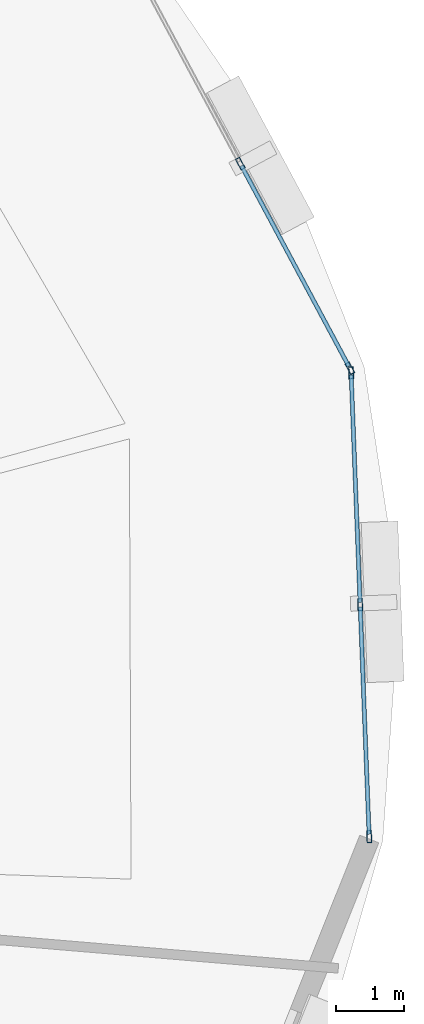
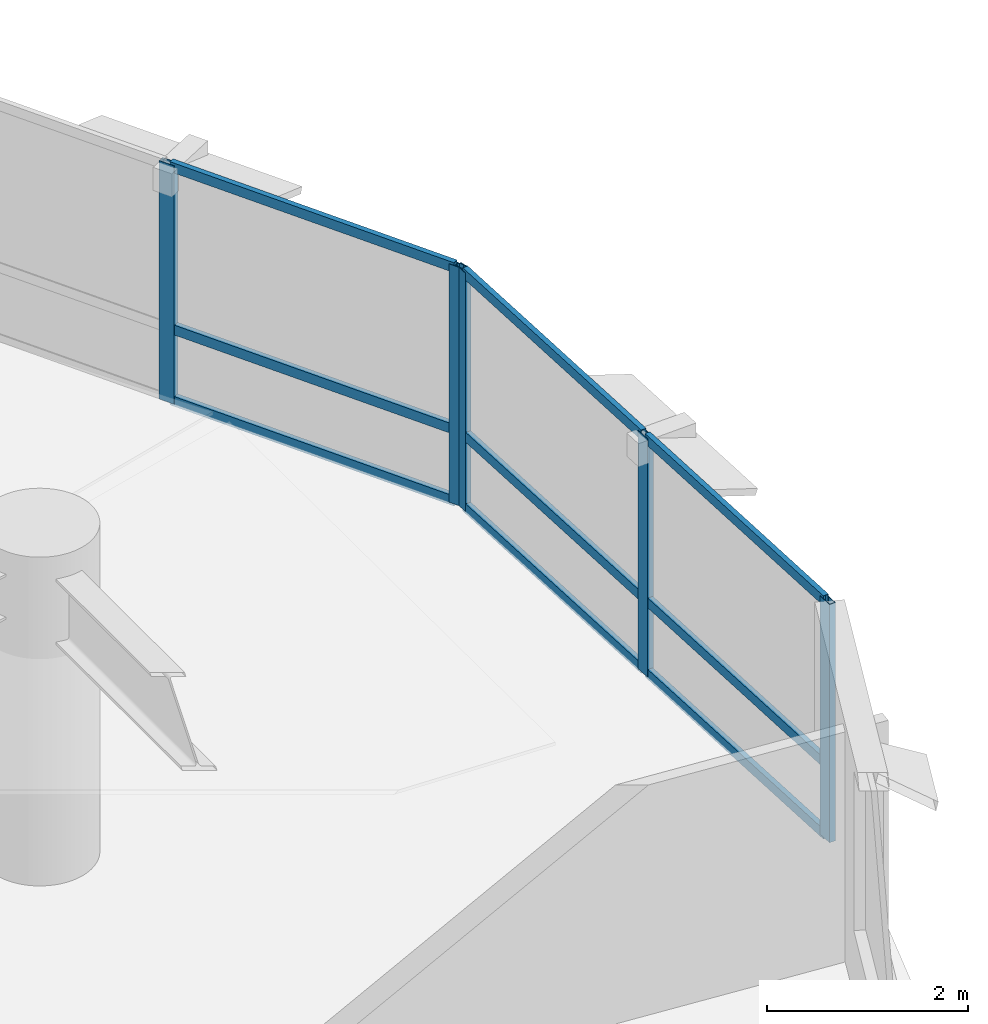
# One storey, part 6 of 15: 14 members, 2 elements without a shape of their own.
"""IFC4 building model written with IfcOpenShell, lengths in metres."""

from ifc_helpers import new_model, si_unit, direction, frame, origin, origin_2d, place, context, subcontext, project, spatial, hollow_rectangle, extrude, material, layer, layer_set, material_profile, profile_set, type_object, element, aggregate, save


model = new_model("IFC4")

# Units and contexts
model_context = context("Model", 3, precision=1e-05, world=origin(), true_north=direction((0.0, 1.0)))
body_context = subcontext(model_context, "Body", "Model", "MODEL_VIEW")
ifc_project = project(units=[si_unit("LENGTHUNIT", "METRE"), si_unit("AREAUNIT", "SQUARE_METRE"), si_unit("VOLUMEUNIT", "CUBIC_METRE"), si_unit("PLANEANGLEUNIT", "RADIAN"), si_unit("MASSUNIT", "GRAM", prefix="KILO"), si_unit("THERMODYNAMICTEMPERATUREUNIT", "KELVIN"), si_unit("POWERUNIT", "WATT")], contexts=[model_context])

# Site, building, storey
site_placement = place(None, origin())
site = spatial("IfcSite", under=ifc_project, at=site_placement, CompositionType="ELEMENT")
building_placement = place(site_placement, origin())
building = spatial("IfcBuilding", under=site, at=building_placement, Name="Ocrelia Relay Tower", CompositionType="ELEMENT")
storey_placement = place(building_placement, frame((0.0, 0.0, 97.800048828125)))
storey = spatial("IfcBuildingStorey", under=building, at=storey_placement, Name="L22", CompositionType="ELEMENT", Elevation=97.800048828125)

# Curtain wall, members
ifc_material_1 = material(Name="Aluminium and solar-control low-E glass", Category="aluminium")
ifc_layer = layer(ifc_material_1, 0.179931640625, Name="Aluminium and solar-control low-E glass")
ifc_layer_set = layer_set([ifc_layer], Name="Aluminium and solar-control low-E glass")
curtain_wall_type = type_object("IfcCurtainWallType", Name="CW-SYS-Z2-SWIT", PredefinedType="NOTDEFINED", material=ifc_layer_set)
curtain_wall_1_placement = place(storey_placement, origin())
curtain_wall_1 = element("IfcCurtainWall", 1, at=curtain_wall_1_placement, inside=storey, type_object=curtain_wall_type, Name="L22 Elliptical Tower Curtain Wall Bay 01", PredefinedType="NOTDEFINED")
ifc_material_2 = material(Name="Anodised bronze aluminium", Category="aluminium")
ifc_material_profile_1 = material_profile(ifc_material_2, hollow_rectangle(XDim=0.070068359375, YDim=0.179931640625, WallThickness=0.006103515625, at=origin_2d()), Name="CW-MUL-180x70")
ifc_profile_set_1 = profile_set([ifc_material_profile_1], Name="Anodised bronze aluminium")
member_type_1 = type_object("IfcMemberType", Name="CW-SYS-Z2-SWIT-MUL", PredefinedType="MULLION", material=ifc_profile_set_1)
member_1_placement = place(storey_placement, frame((58.68798828125, 32.742919921875, 0.0), z_axis=(0.0, 0.0, 1.0), x_axis=(-0.881560565607, -0.472070936584, 0.0)))
member_1 = element("IfcMember", 2, at=member_1_placement, type_object=member_type_1, Name="CW-Z2 mullion 1", PredefinedType="MULLION", context=body_context, shape_type="SweptSolid", body=[
    extrude(hollow_rectangle(XDim=0.070068359375, YDim=0.179931640625, WallThickness=0.006103515625, at=origin_2d()), origin(), (0.0, 0.0, 1.0), 2.89990234375),
])
member_2_placement = place(storey_placement, frame((57.080810546875, 35.744140625, 0.0), z_axis=(0.0, 0.0, 1.0), x_axis=(-0.881560565607, -0.472070936584, 0.0)))
member_2 = element("IfcMember", 3, at=member_2_placement, type_object=member_type_1, Name="CW-Z2 mullion 2", PredefinedType="MULLION", context=body_context, shape_type="SweptSolid", body=[
    extrude(hollow_rectangle(XDim=0.070068359375, YDim=0.179931640625, WallThickness=0.006103515625, at=origin_2d()), origin(), (0.0, 0.0, 1.0), 2.89990234375),
])

curtain_wall_2_placement = place(storey_placement, origin())
curtain_wall_2 = element("IfcCurtainWall", 4, at=curtain_wall_2_placement, inside=storey, type_object=curtain_wall_type, Name="L22 Elliptical Tower Curtain Wall Bay 18", PredefinedType="NOTDEFINED")
member_3_placement = place(storey_placement, frame((58.970947265625, 25.873291015625, 0.0), z_axis=(0.0, 0.0, 1.0), x_axis=(-0.999241940463, -0.038929993842, 0.0)))
member_3 = element("IfcMember", 5, at=member_3_placement, type_object=member_type_1, Name="CW-Z2 mullion 1", PredefinedType="MULLION", context=body_context, shape_type="SweptSolid", body=[
    extrude(hollow_rectangle(XDim=0.070068359375, YDim=0.179931640625, WallThickness=0.006103515625, at=origin_2d()), origin(), (0.0, 0.0, 1.0), 2.89990234375),
])
member_4_placement = place(storey_placement, frame((58.83837890625, 29.275146484375, 0.0), z_axis=(0.0, 0.0, 1.0), x_axis=(-0.999241940463, -0.038929993842, 0.0)))
member_4 = element("IfcMember", 6, at=member_4_placement, type_object=member_type_1, Name="CW-Z2 mullion 2", PredefinedType="MULLION", context=body_context, shape_type="SweptSolid", body=[
    extrude(hollow_rectangle(XDim=0.070068359375, YDim=0.179931640625, WallThickness=0.006103515625, at=origin_2d()), origin(), (0.0, 0.0, 1.0), 2.89990234375),
])
member_5_placement = place(storey_placement, frame((58.705810546875, 32.677001953125, 0.0), z_axis=(0.0, 0.0, 1.0), x_axis=(-0.999241940463, -0.038929993842, 0.0)))
member_5 = element("IfcMember", 7, at=member_5_placement, type_object=member_type_1, Name="CW-Z2 mullion 3", PredefinedType="MULLION", context=body_context, shape_type="SweptSolid", body=[
    extrude(hollow_rectangle(XDim=0.070068359375, YDim=0.179931640625, WallThickness=0.006103515625, at=origin_2d()), origin(), (0.0, 0.0, 1.0), 2.89990234375),
])

# Member
ifc_material_profile_2 = material_profile(ifc_material_2, hollow_rectangle(XDim=0.06005859375, YDim=0.1201171875, WallThickness=0.0048828125, at=origin_2d()), Name="CW-TRN-120x60")
ifc_profile_set_2 = profile_set([ifc_material_profile_2], Name="Anodised bronze aluminium")
member_type_2 = type_object("IfcMemberType", Name="CW-SYS-Z2-SWIT-TRN", PredefinedType="USERDEFINED", material=ifc_profile_set_2)
member_6_placement = place(storey_placement, frame((58.67138671875, 32.773681640625, 0.030029296875), z_axis=(-0.472077157073, 0.88155723454, 0.0), x_axis=(-0.88155723454, -0.472077157073, 0.0)))
member_6 = element("IfcMember", 8, at=member_6_placement, type_object=member_type_2, Name="CW-Z2 transom 1.1", ObjectType="TRANSOM", PredefinedType="USERDEFINED", context=body_context, shape_type="SweptSolid", body=[
    extrude(hollow_rectangle(XDim=0.06005859375, YDim=0.1201171875, WallThickness=0.0048828125, at=origin_2d()), origin(), (0.0, 0.0, 1.0), 3.334716796875),
])

member_7_placement = place(storey_placement, frame((58.67138671875, 32.773681640625, 0.89990234375), z_axis=(-0.472077157073, 0.88155723454, 0.0), x_axis=(-0.88155723454, -0.472077157073, 0.0)))
member_7 = element("IfcMember", 9, at=member_7_placement, type_object=member_type_2, Name="CW-Z2 transom 1.2", ObjectType="TRANSOM", PredefinedType="USERDEFINED", context=body_context, shape_type="SweptSolid", body=[
    extrude(hollow_rectangle(XDim=0.06005859375, YDim=0.1201171875, WallThickness=0.0048828125, at=origin_2d()), origin(), (0.0, 0.0, 1.0), 3.334716796875),
])

member_8_placement = place(storey_placement, frame((58.67138671875, 32.773681640625, 2.869873046875), z_axis=(-0.472077157073, 0.88155723454, 0.0), x_axis=(-0.88155723454, -0.472077157073, 0.0)))
member_8 = element("IfcMember", 10, at=member_8_placement, type_object=member_type_2, Name="CW-Z2 transom 1.3", ObjectType="TRANSOM", PredefinedType="USERDEFINED", context=body_context, shape_type="SweptSolid", body=[
    extrude(hollow_rectangle(XDim=0.06005859375, YDim=0.1201171875, WallThickness=0.0048828125, at=origin_2d()), origin(), (0.0, 0.0, 1.0), 3.334716796875),
])

aggregate(curtain_wall_1, [member_1, member_2, member_6, member_7, member_8])

member_9_placement = place(storey_placement, frame((58.969482421875, 25.908203125, 0.030029296875), z_axis=(-0.038950489991, 0.999241141732, 0.0), x_axis=(-0.999241141732, -0.038950489991, 0.0)))
member_9 = element("IfcMember", 11, at=member_9_placement, type_object=member_type_2, Name="CW-Z2 transom 1.1", ObjectType="TRANSOM", PredefinedType="USERDEFINED", context=body_context, shape_type="SweptSolid", body=[
    extrude(hollow_rectangle(XDim=0.06005859375, YDim=0.1201171875, WallThickness=0.0048828125, at=origin_2d()), origin(), (0.0, 0.0, 1.0), 3.33447265625),
])

member_10_placement = place(storey_placement, frame((58.969482421875, 25.908203125, 0.89990234375), z_axis=(-0.038950489991, 0.999241141732, 0.0), x_axis=(-0.999241141732, -0.038950489991, 0.0)))
member_10 = element("IfcMember", 12, at=member_10_placement, type_object=member_type_2, Name="CW-Z2 transom 1.2", ObjectType="TRANSOM", PredefinedType="USERDEFINED", context=body_context, shape_type="SweptSolid", body=[
    extrude(hollow_rectangle(XDim=0.06005859375, YDim=0.1201171875, WallThickness=0.0048828125, at=origin_2d()), origin(), (0.0, 0.0, 1.0), 3.33447265625),
])

member_11_placement = place(storey_placement, frame((58.969482421875, 25.908203125, 2.869873046875), z_axis=(-0.038950489991, 0.999241141732, 0.0), x_axis=(-0.999241141732, -0.038950489991, 0.0)))
member_11 = element("IfcMember", 13, at=member_11_placement, type_object=member_type_2, Name="CW-Z2 transom 1.3", ObjectType="TRANSOM", PredefinedType="USERDEFINED", context=body_context, shape_type="SweptSolid", body=[
    extrude(hollow_rectangle(XDim=0.06005859375, YDim=0.1201171875, WallThickness=0.0048828125, at=origin_2d()), origin(), (0.0, 0.0, 1.0), 3.33447265625),
])

member_12_placement = place(storey_placement, frame((58.8369140625, 29.31005859375, 0.030029296875), z_axis=(-0.038950489991, 0.999241141732, 0.0), x_axis=(-0.999241141732, -0.038950489991, 0.0)))
member_12 = element("IfcMember", 14, at=member_12_placement, type_object=member_type_2, Name="CW-Z2 transom 2.1", ObjectType="TRANSOM", PredefinedType="USERDEFINED", context=body_context, shape_type="SweptSolid", body=[
    extrude(hollow_rectangle(XDim=0.06005859375, YDim=0.1201171875, WallThickness=0.0048828125, at=origin_2d()), origin(), (0.0, 0.0, 1.0), 3.33447265625),
])

member_13_placement = place(storey_placement, frame((58.8369140625, 29.31005859375, 0.89990234375), z_axis=(-0.038950489991, 0.999241141732, 0.0), x_axis=(-0.999241141732, -0.038950489991, 0.0)))
member_13 = element("IfcMember", 15, at=member_13_placement, type_object=member_type_2, Name="CW-Z2 transom 2.2", ObjectType="TRANSOM", PredefinedType="USERDEFINED", context=body_context, shape_type="SweptSolid", body=[
    extrude(hollow_rectangle(XDim=0.06005859375, YDim=0.1201171875, WallThickness=0.0048828125, at=origin_2d()), origin(), (0.0, 0.0, 1.0), 3.33447265625),
])

member_14_placement = place(storey_placement, frame((58.8369140625, 29.31005859375, 2.869873046875), z_axis=(-0.038950489991, 0.999241141732, 0.0), x_axis=(-0.999241141732, -0.038950489991, 0.0)))
member_14 = element("IfcMember", 16, at=member_14_placement, type_object=member_type_2, Name="CW-Z2 transom 2.3", ObjectType="TRANSOM", PredefinedType="USERDEFINED", context=body_context, shape_type="SweptSolid", body=[
    extrude(hollow_rectangle(XDim=0.06005859375, YDim=0.1201171875, WallThickness=0.0048828125, at=origin_2d()), origin(), (0.0, 0.0, 1.0), 3.33447265625),
])

aggregate(curtain_wall_2, [member_3, member_4, member_5, member_9, member_10, member_11, member_12, member_13, member_14])

save(model, "model.ifc")
